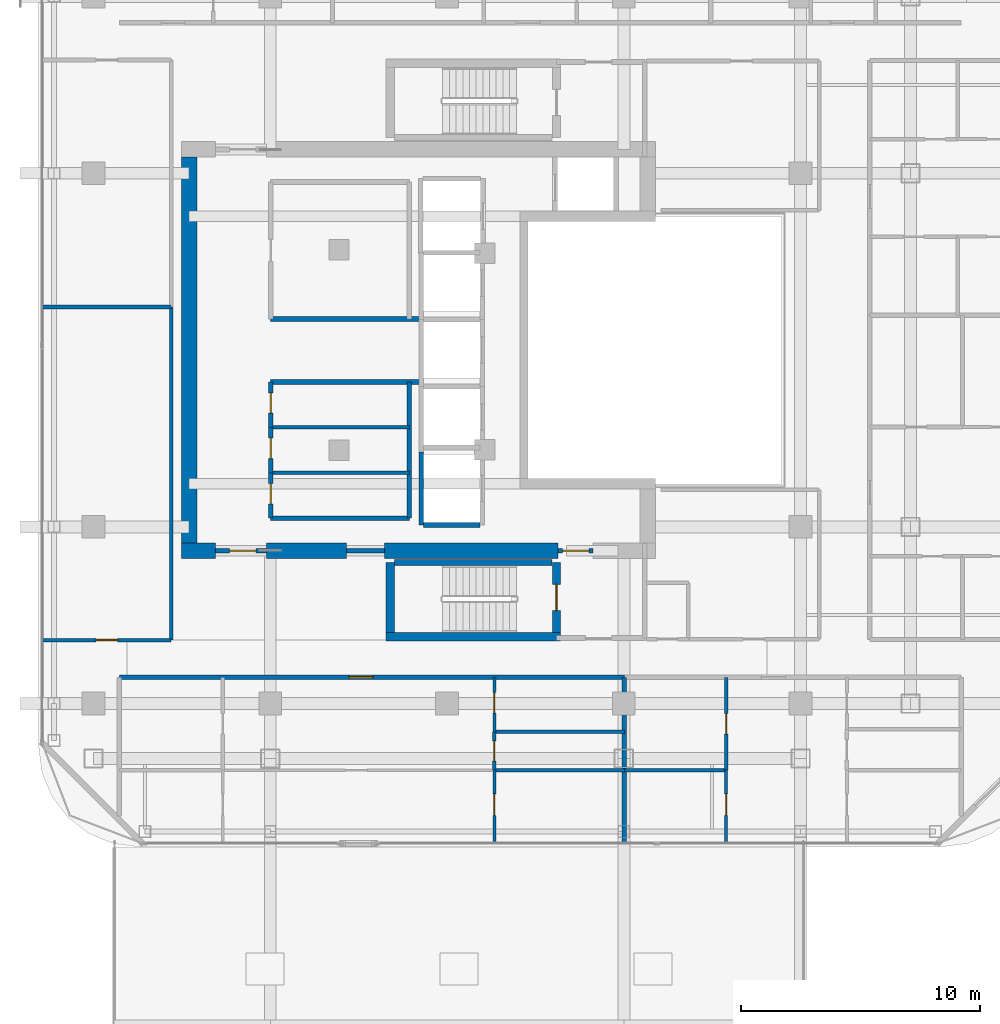
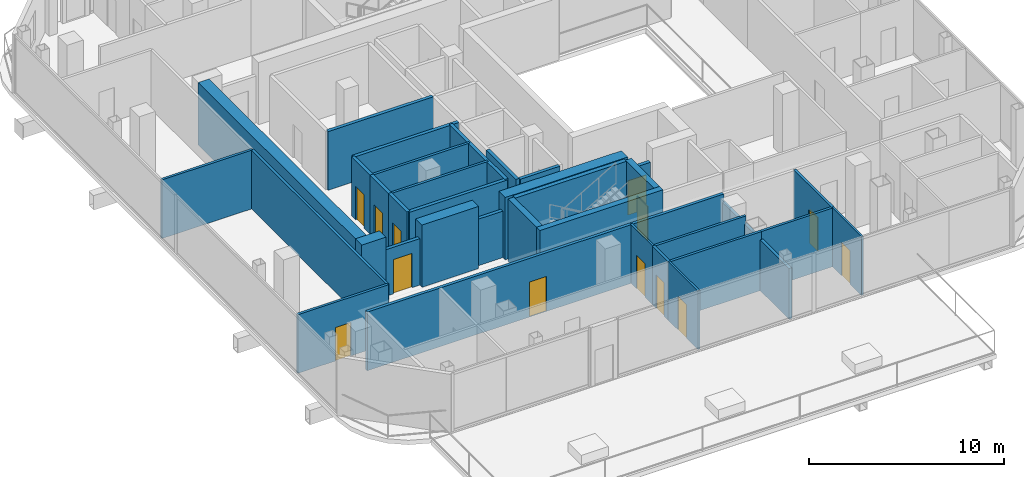
# One storey, part 18 of 25: 35 walls, 13 doors, 13 openings.
"""IFC4 building model written with IfcOpenShell, lengths in metres."""

from ifc_helpers import new_model, si_unit, direction, frame, frame_2d, origin, place, context, subcontext, project, spatial, rectangle, extrude, material, layer, layer_set, type_object, element, fill, save


model = new_model("IFC4")

# Units and contexts
model_context = context("Model", 3, precision=1e-05, world=origin(), true_north=direction((0.0, 1.0)))
body_context = subcontext(model_context, "Body", "Model", "MODEL_VIEW")
ifc_project = project(units=[si_unit("LENGTHUNIT", "METRE"), si_unit("AREAUNIT", "SQUARE_METRE"), si_unit("VOLUMEUNIT", "CUBIC_METRE"), si_unit("PLANEANGLEUNIT", "RADIAN"), si_unit("MASSUNIT", "GRAM", prefix="KILO")], contexts=[model_context])

# Site, building, storey
site_placement = place(None, origin())
site = spatial("IfcSite", under=ifc_project, at=site_placement, CompositionType="ELEMENT")
building_placement = place(site_placement, origin())
building = spatial("IfcBuilding", under=site, at=building_placement, Name="Khorvyn Point Tower", CompositionType="ELEMENT")
storey_placement = place(building_placement, frame((0.0, 0.0, 254.699951171875)))
storey = spatial("IfcBuildingStorey", under=building, at=storey_placement, Name="L62", CompositionType="ELEMENT", Elevation=254.699951171875)

# Wall, opening, door
ifc_material_1 = material(Name="Double acoustic gypsum on twin steel stud", Category="steel")
ifc_layer_1 = layer(ifc_material_1, 0.179931640625)
ifc_layer_set_1 = layer_set([ifc_layer_1], Name="Acoustic Double-Stud Apartment Demising Wall 180")
wall_type_1 = type_object("IfcWallType", Name="Acoustic Double-Stud Apartment Demising Wall 180", PredefinedType="PARTITIONING", material=ifc_layer_set_1)
wall_1_placement = place(storey_placement, frame((-13.719970703125, -13.699951171875, 0.0), z_axis=(0.0, 0.0, 1.0), x_axis=(1.0, 0.0, 0.0)))
wall_1 = element("IfcWall", 1, at=wall_1_placement, inside=storey, type_object=wall_type_1, Name="Wall", PredefinedType="PARTITIONING", context=body_context, shape_type="SweptSolid", body=[
    extrude(rectangle(XDim=21.14404296875, YDim=0.179931640625, at=frame_2d((10.572021484375, 0.0))), origin(), (0.0, 0.0, 1.0), 3.679931640625),
])
opening_1_placement = place(wall_1_placement, frame((9.62548828125, 0.0, 0.0)))
opening_1 = element("IfcOpeningElement", 2, at=opening_1_placement, cuts=wall_1, Name="Opening ID-AP60", PredefinedType="OPENING", context=body_context, shape_type="SweptSolid", body=[
    extrude(rectangle(XDim=1.0, YDim=2.199951171875, at=frame_2d((0.5, 1.10009765625))), frame((0.0, 0.099853515625, 0.0), z_axis=(0.0, -1.0, 0.0), x_axis=(1.0, 0.0, 0.0)), (0.0, 0.0, 1.0), 0.199951171875),
])
ifc_material_2 = material(Name="Engineered hardwood fire-rated leaf", Category="wood")
door_type_1 = type_object("IfcDoorType", Name="Acoustic Solid-Core Timber Apartment Entrance Door 1000x2200", OperationType="NOTDEFINED", PredefinedType="DOOR", material=ifc_material_2)
door_1_placement = place(opening_1_placement, origin())
door_1 = element("IfcDoor", 3, at=door_1_placement, inside=storey, type_object=door_type_1, Name="Door", OperationType="SINGLE_SWING_RIGHT", OverallHeight=2.199951171875, OverallWidth=1.0, PredefinedType="DOOR", context=body_context, shape_type="SweptSolid", body=[
    extrude(rectangle(XDim=1.0, YDim=2.199951171875, at=frame_2d((0.5, 1.10009765625))), frame((0.0, 0.02490234375, 0.0), z_axis=(0.0, -1.0, 0.0), x_axis=(1.0, 0.0, 0.0)), (0.0, 0.0, 1.0), 0.050048828125),
])
fill(opening_1, door_1)

# Walls
wall_2_placement = place(storey_placement, frame((7.424072265625, -20.6298828125, 0.0), z_axis=(0.0, 0.0, 1.0), x_axis=(0.0, 1.0, 0.0)))
element("IfcWall", 4, at=wall_2_placement, inside=storey, type_object=wall_type_1, Name="Wall", PredefinedType="PARTITIONING", context=body_context, shape_type="SweptSolid", body=[
    extrude(rectangle(XDim=6.929931640625, YDim=0.179931640625, at=frame_2d((3.46484375, 0.0))), origin(), (0.0, 0.0, 1.0), 3.18212890625),
])
ifc_material_3 = material(Name="Concrete C40/50", Category="concrete")
ifc_layer_2 = layer(ifc_material_3, 0.64990234375)
ifc_layer_set_2 = layer_set([ifc_layer_2], Name="Concrete C40/50 Core Shear Wall 650")
wall_type_2 = type_object("IfcWallType", Name="Concrete C40/50 Core Shear Wall 650", PredefinedType="SHEAR", material=ifc_layer_set_2)
wall_3_placement = place(storey_placement, frame((-11.125, -8.39990234375, 0.0), z_axis=(0.0, 0.0, 1.0), x_axis=(1.0, 0.0, 0.0)))
element("IfcWall", 5, at=wall_3_placement, inside=storey, type_object=wall_type_2, Name="Wall", PredefinedType="SHEAR", context=body_context, shape_type="SweptSolid", body=[
    extrude(rectangle(XDim=1.425048828125, YDim=0.64990234375, at=frame_2d((0.71240234375, 0.0))), origin(), (0.0, 0.0, 1.0), 3.900146484375),
])
wall_4_placement = place(storey_placement, frame((-7.550048828125, -8.39990234375, 0.0), z_axis=(0.0, 0.0, 1.0), x_axis=(1.0, 0.0, 0.0)))
element("IfcWall", 6, at=wall_4_placement, inside=storey, type_object=wall_type_2, Name="Wall", PredefinedType="SHEAR", context=body_context, shape_type="SweptSolid", body=[
    extrude(rectangle(XDim=3.35009765625, YDim=0.64990234375, at=frame_2d((1.675048828125, 0.0))), origin(), (0.0, 0.0, 1.0), 3.900146484375),
])
wall_5_placement = place(storey_placement, frame((-2.6201171875, -8.39990234375, 0.0), z_axis=(0.0, 0.0, 1.0), x_axis=(1.0, 0.0, 0.0)))
element("IfcWall", 7, at=wall_5_placement, inside=storey, type_object=wall_type_2, Name="Wall", PredefinedType="SHEAR", context=body_context, shape_type="SweptSolid", body=[
    extrude(rectangle(XDim=7.27001953125, YDim=0.64990234375, at=frame_2d((3.635009765625, 0.0))), origin(), (0.0, 0.0, 1.0), 3.900146484375),
])
wall_6_placement = place(storey_placement, frame((-10.800048828125, -8.074951171875, 0.0), z_axis=(0.0, 0.0, 1.0), x_axis=(0.0, 1.0, 0.0)))
element("IfcWall", 8, at=wall_6_placement, inside=storey, type_object=wall_type_2, Name="Wall", PredefinedType="SHEAR", context=body_context, shape_type="SweptSolid", body=[
    extrude(rectangle(XDim=16.14990234375, YDim=0.64990234375, at=frame_2d((8.074951171875, 0.0))), origin(), (0.0, 0.0, 1.0), 3.900146484375),
])

# Wall, opening, door
ifc_layer_3 = layer(ifc_material_3, 0.199951171875)
ifc_layer_set_3 = layer_set([ifc_layer_3], Name="Concrete C40/50 Fire-Lobby Compartment Wall 200")
wall_type_3 = type_object("IfcWallType", Name="Concrete C40/50 Fire-Lobby Compartment Wall 200", PredefinedType="SOLIDWALL", material=ifc_layer_set_3)
wall_7_placement = place(storey_placement, frame((4.64990234375, -8.39990234375, 0.0), z_axis=(0.0, 0.0, 1.0), x_axis=(1.0, 0.0, 0.0)))
wall_7 = element("IfcWall", 9, at=wall_7_placement, inside=storey, type_object=wall_type_3, Name="Wall", PredefinedType="SOLIDWALL", context=body_context, shape_type="SweptSolid", body=[
    extrude(rectangle(XDim=1.47021484375, YDim=0.199951171875, at=frame_2d((0.735107421875, 0.0))), origin(), (0.0, 0.0, 1.0), 2.920166015625),
])
opening_2_placement = place(wall_7_placement, frame((0.18505859375, 0.0, 0.0)))
opening_2 = element("IfcOpeningElement", 10, at=opening_2_placement, cuts=wall_7, Name="Opening ID-FL90", PredefinedType="OPENING", context=body_context, shape_type="SweptSolid", body=[
    extrude(rectangle(XDim=1.10009765625, YDim=2.14990234375, at=frame_2d((0.550048828125, 1.074951171875))), frame((0.0, 0.10986328125, 0.0), z_axis=(0.0, -1.0, 0.0), x_axis=(1.0, 0.0, 0.0)), (0.0, 0.0, 1.0), 0.219970703125),
])
ifc_material_4 = material(Name="Galvanised powder-coated steel", Category="steel")
door_type_2 = type_object("IfcDoorType", Name="Fire-Rated Steel Lobby and Stair Door 1100x2150", OperationType="NOTDEFINED", PredefinedType="DOOR", material=ifc_material_4)
door_2_placement = place(opening_2_placement, origin())
door_2 = element("IfcDoor", 11, at=door_2_placement, inside=storey, type_object=door_type_2, Name="Door", OperationType="SINGLE_SWING_RIGHT", OverallHeight=2.14990234375, OverallWidth=1.10009765625, PredefinedType="DOOR", context=body_context, shape_type="SweptSolid", body=[
    extrude(rectangle(XDim=1.10009765625, YDim=2.14990234375, at=frame_2d((0.550048828125, 1.074951171875))), frame((0.0, 0.02490234375, 0.0), z_axis=(0.0, -1.0, 0.0), x_axis=(1.0, 0.0, 0.0)), (0.0, 0.0, 1.0), 0.050048828125),
])
fill(opening_2, door_2)

wall_8_placement = place(storey_placement, frame((-9.699951171875, -8.39990234375, 0.0), z_axis=(0.0, 0.0, 1.0), x_axis=(1.0, 0.0, 0.0)))
wall_8 = element("IfcWall", 12, at=wall_8_placement, inside=storey, type_object=wall_type_3, Name="Wall", PredefinedType="SOLIDWALL", context=body_context, shape_type="SweptSolid", body=[
    extrude(rectangle(XDim=2.14990234375, YDim=0.199951171875, at=frame_2d((1.074951171875, 0.0))), origin(), (0.0, 0.0, 1.0), 2.920166015625),
])
opening_3_placement = place(wall_8_placement, frame((0.597900390625, 0.0, 0.0)))
opening_3 = element("IfcOpeningElement", 13, at=opening_3_placement, cuts=wall_8, Name="Opening ID-FL90", PredefinedType="OPENING", context=body_context, shape_type="SweptSolid", body=[
    extrude(rectangle(XDim=1.10009765625, YDim=2.14990234375, at=frame_2d((0.550048828125, 1.074951171875))), frame((0.0, 0.10986328125, 0.0), z_axis=(0.0, -1.0, 0.0), x_axis=(1.0, 0.0, 0.0)), (0.0, 0.0, 1.0), 0.219970703125),
])
door_3_placement = place(opening_3_placement, origin())
door_3 = element("IfcDoor", 14, at=door_3_placement, inside=storey, type_object=door_type_2, Name="Door", OperationType="SINGLE_SWING_RIGHT", OverallHeight=2.14990234375, OverallWidth=1.10009765625, PredefinedType="DOOR", context=body_context, shape_type="SweptSolid", body=[
    extrude(rectangle(XDim=1.10009765625, YDim=2.14990234375, at=frame_2d((0.550048828125, 1.074951171875))), frame((0.0, 0.02490234375, 0.0), z_axis=(0.0, -1.0, 0.0), x_axis=(1.0, 0.0, 0.0)), (0.0, 0.0, 1.0), 0.050048828125),
])
fill(opening_3, door_3)

wall_9_placement = place(storey_placement, frame((-7.3798828125, -7.0400390625, 0.0), z_axis=(0.0, 0.0, 1.0), x_axis=(0.0, 1.0, 0.0)))
wall_9 = element("IfcWall", 15, at=wall_9_placement, inside=storey, type_object=wall_type_3, Name="Wall", PredefinedType="SOLIDWALL", context=body_context, shape_type="SweptSolid", body=[
    extrude(rectangle(XDim=1.900146484375, YDim=0.199951171875, at=frame_2d((0.9501953125, 0.0))), origin(), (0.0, 0.0, 1.0), 3.679931640625),
])
opening_4_placement = place(wall_9_placement, frame((0.597900390625, 0.0, 0.0)))
opening_4 = element("IfcOpeningElement", 16, at=opening_4_placement, cuts=wall_9, Name="Opening ID-WC85", PredefinedType="OPENING", context=body_context, shape_type="SweptSolid", body=[
    extrude(rectangle(XDim=0.85009765625, YDim=2.10009765625, at=frame_2d((0.425048828125, 1.050048828125))), frame((0.0, 0.10986328125, 0.0), z_axis=(0.0, -1.0, 0.0), x_axis=(1.0, 0.0, 0.0)), (0.0, 0.0, 1.0), 0.219970703125),
])
ifc_material_5 = material(Name="High-pressure laminate on moisture-resistant core", Category="wood")
door_type_3 = type_object("IfcDoorType", Name="Moisture-Resistant Accessible Washroom Door 850x2100", OperationType="NOTDEFINED", PredefinedType="DOOR", material=ifc_material_5)
door_4_placement = place(opening_4_placement, origin())
door_4 = element("IfcDoor", 17, at=door_4_placement, inside=storey, type_object=door_type_3, Name="Door", OperationType="SINGLE_SWING_RIGHT", OverallHeight=2.10009765625, OverallWidth=0.85009765625, PredefinedType="DOOR", context=body_context, shape_type="SweptSolid", body=[
    extrude(rectangle(XDim=0.85009765625, YDim=2.10009765625, at=frame_2d((0.425048828125, 1.050048828125))), frame((0.0, 0.02490234375, 0.0), z_axis=(0.0, -1.0, 0.0), x_axis=(1.0, 0.0, 0.0)), (0.0, 0.0, 1.0), 0.050048828125),
])
fill(opening_4, door_4)

wall_10_placement = place(storey_placement, frame((-7.3798828125, -5.139892578125, 0.0), z_axis=(0.0, 0.0, 1.0), x_axis=(0.0, 1.0, 0.0)))
wall_10 = element("IfcWall", 18, at=wall_10_placement, inside=storey, type_object=wall_type_3, Name="Wall", PredefinedType="SOLIDWALL", context=body_context, shape_type="SweptSolid", body=[
    extrude(rectangle(XDim=1.89990234375, YDim=0.199951171875, at=frame_2d((0.949951171875, 0.0))), origin(), (0.0, 0.0, 1.0), 3.679931640625),
])
opening_5_placement = place(wall_10_placement, frame((0.597900390625, 0.0, 0.0)))
opening_5 = element("IfcOpeningElement", 19, at=opening_5_placement, cuts=wall_10, Name="Opening ID-WC85", PredefinedType="OPENING", context=body_context, shape_type="SweptSolid", body=[
    extrude(rectangle(XDim=0.85009765625, YDim=2.10009765625, at=frame_2d((0.425048828125, 1.050048828125))), frame((0.0, 0.10986328125, 0.0), z_axis=(0.0, -1.0, 0.0), x_axis=(1.0, 0.0, 0.0)), (0.0, 0.0, 1.0), 0.219970703125),
])
door_5_placement = place(opening_5_placement, origin())
door_5 = element("IfcDoor", 20, at=door_5_placement, inside=storey, type_object=door_type_3, Name="Door", OperationType="SINGLE_SWING_LEFT", OverallHeight=2.10009765625, OverallWidth=0.85009765625, PredefinedType="DOOR", context=body_context, shape_type="SweptSolid", body=[
    extrude(rectangle(XDim=0.85009765625, YDim=2.10009765625, at=frame_2d((0.425048828125, 1.050048828125))), frame((0.0, 0.02490234375, 0.0), z_axis=(0.0, -1.0, 0.0), x_axis=(1.0, 0.0, 0.0)), (0.0, 0.0, 1.0), 0.050048828125),
])
fill(opening_5, door_5)

wall_11_placement = place(storey_placement, frame((-7.3798828125, -3.239990234375, 0.0), z_axis=(0.0, 0.0, 1.0), x_axis=(0.0, 1.0, 0.0)))
wall_11 = element("IfcWall", 21, at=wall_11_placement, inside=storey, type_object=wall_type_3, Name="Wall", PredefinedType="SOLIDWALL", context=body_context, shape_type="SweptSolid", body=[
    extrude(rectangle(XDim=1.89990234375, YDim=0.199951171875, at=frame_2d((0.949951171875, 0.0))), origin(), (0.0, 0.0, 1.0), 3.679931640625),
])
opening_6_placement = place(wall_11_placement, frame((0.597900390625, 0.0, 0.0)))
opening_6 = element("IfcOpeningElement", 22, at=opening_6_placement, cuts=wall_11, Name="Opening ID-WC85", PredefinedType="OPENING", context=body_context, shape_type="SweptSolid", body=[
    extrude(rectangle(XDim=0.85009765625, YDim=2.10009765625, at=frame_2d((0.425048828125, 1.050048828125))), frame((0.0, 0.10986328125, 0.0), z_axis=(0.0, -1.0, 0.0), x_axis=(1.0, 0.0, 0.0)), (0.0, 0.0, 1.0), 0.219970703125),
])
door_6_placement = place(opening_6_placement, origin())
door_6 = element("IfcDoor", 23, at=door_6_placement, inside=storey, type_object=door_type_3, Name="Door", OperationType="SINGLE_SWING_RIGHT", OverallHeight=2.10009765625, OverallWidth=0.85009765625, PredefinedType="DOOR", context=body_context, shape_type="SweptSolid", body=[
    extrude(rectangle(XDim=0.85009765625, YDim=2.10009765625, at=frame_2d((0.425048828125, 1.050048828125))), frame((0.0, 0.02490234375, 0.0), z_axis=(0.0, -1.0, 0.0), x_axis=(1.0, 0.0, 0.0)), (0.0, 0.0, 1.0), 0.050048828125),
])
fill(opening_6, door_6)

# Walls
wall_12_placement = place(storey_placement, frame((-4.199951171875, -8.39990234375, 0.0), z_axis=(0.0, 0.0, 1.0), x_axis=(1.0, 0.0, 0.0)))
element("IfcWall", 24, at=wall_12_placement, inside=storey, type_object=wall_type_3, Name="Wall", PredefinedType="SOLIDWALL", context=body_context, shape_type="SweptSolid", body=[
    extrude(rectangle(XDim=1.579833984375, YDim=0.199951171875, at=frame_2d((0.7900390625, 0.0))), origin(), (0.0, 0.0, 1.0), 2.920166015625),
])
for number, where, z_axis, x_axis, name in (
    (25, (-7.3798828125, -1.340087890625, 0.0), (0.0, 0.0, 1.0), (1.0, 0.0, 0.0), "Wall"),
    (26, (-7.3798828125, 1.300048828125, 0.0), (0.0, 0.0, 1.0), (1.0, 0.0, 0.0), "Wall"),
):
    element("IfcWall", number, at=place(storey_placement, frame(where, z_axis=z_axis, x_axis=x_axis)), inside=storey, type_object=wall_type_3, Name=name, PredefinedType="SOLIDWALL", context=body_context, shape_type="SweptSolid", body=[
        extrude(rectangle(XDim=6.239990234375, YDim=0.199951171875, at=frame_2d((3.1201171875, 0.0))), origin(), (0.0, 0.0, 1.0), 3.679931640625),
    ])
wall_13_placement = place(storey_placement, frame((-1.580078125, -7.0400390625, 0.0), z_axis=(0.0, 0.0, 1.0), x_axis=(0.0, 1.0, 0.0)))
element("IfcWall", 27, at=wall_13_placement, inside=storey, type_object=wall_type_3, Name="Wall", PredefinedType="SOLIDWALL", context=body_context, shape_type="SweptSolid", body=[
    extrude(rectangle(XDim=5.699951171875, YDim=0.199951171875, at=frame_2d((2.85009765625, 0.0))), origin(), (0.0, 0.0, 1.0), 3.679931640625),
])
wall_14_placement = place(storey_placement, frame((-7.3798828125, -7.0400390625, 0.0), z_axis=(0.0, 0.0, 1.0), x_axis=(1.0, 0.0, 0.0)))
element("IfcWall", 28, at=wall_14_placement, inside=storey, type_object=wall_type_3, Name="Wall", PredefinedType="SOLIDWALL", context=body_context, shape_type="SweptSolid", body=[
    extrude(rectangle(XDim=5.7998046875, YDim=0.199951171875, at=frame_2d((2.89990234375, 0.0))), origin(), (0.0, 0.0, 1.0), 3.679931640625),
])
ifc_layer_4 = layer(ifc_material_3, 0.25)
ifc_layer_set_4 = layer_set([ifc_layer_4], Name="Concrete C40/50 Stair Inner Cheek Structural Wall 250")
wall_type_4 = type_object("IfcWallType", Name="Concrete C40/50 Stair Inner Cheek Structural Wall 250", PredefinedType="SHEAR", material=ifc_layer_set_4)
wall_15_placement = place(storey_placement, frame((-2.199951171875, -8.89990234375, 0.0), z_axis=(0.0, 0.0, 1.0), x_axis=(1.0, 0.0, 0.0)))
element("IfcWall", 29, at=wall_15_placement, inside=storey, type_object=wall_type_4, Name="Wall", PredefinedType="SHEAR", context=body_context, shape_type="SweptSolid", body=[
    extrude(rectangle(XDim=6.599853515625, YDim=0.25, at=frame_2d((3.2998046875, 0.0))), origin(), (0.0, 0.0, 1.0), 3.900146484375),
])
ifc_layer_5 = layer(ifc_material_3, 0.35009765625)
ifc_layer_set_5 = layer_set([ifc_layer_5], Name="Concrete C40/50 Stair Shaft Structural Wall 350")
wall_type_5 = type_object("IfcWallType", Name="Concrete C40/50 Stair Shaft Structural Wall 350", PredefinedType="SHEAR", material=ifc_layer_set_5)
wall_16_placement = place(storey_placement, frame((-2.554931640625, -12.0, 0.0), z_axis=(0.0, 0.0, 1.0), x_axis=(1.0, 0.0, 0.0)))
element("IfcWall", 30, at=wall_16_placement, inside=storey, type_object=wall_type_5, Name="L62 ST-01 South Shaft Wall", PredefinedType="SHEAR", context=body_context, shape_type="SweptSolid", body=[
    extrude(rectangle(XDim=7.309814453125, YDim=0.35009765625, at=frame_2d((3.65478515625, 0.0))), origin(), (0.0, 0.0, 1.0), 3.900146484375),
])
wall_17_placement = place(storey_placement, frame((-2.3798828125, -11.824951171875, 0.0), z_axis=(0.0, 0.0, 1.0), x_axis=(0.0, 1.0, 0.0)))
element("IfcWall", 31, at=wall_17_placement, inside=storey, type_object=wall_type_5, Name="L62 ST-01 West Shaft Wall", PredefinedType="SHEAR", context=body_context, shape_type="SweptSolid", body=[
    extrude(rectangle(XDim=2.925048828125, YDim=0.35009765625, at=frame_2d((1.46240234375, 0.0))), origin(), (0.0, 0.0, 1.0), 3.900146484375),
])

# Wall, opening, door
wall_18_placement = place(storey_placement, frame((4.580078125, -8.89990234375, 0.0), z_axis=(0.0, 0.0, 1.0), x_axis=(0.0, -1.0, 0.0)))
wall_18 = element("IfcWall", 32, at=wall_18_placement, inside=storey, type_object=wall_type_5, Name="L62 ST-01 East Landing Door Wall", PredefinedType="SHEAR", context=body_context, shape_type="SweptSolid", body=[
    extrude(rectangle(XDim=2.925048828125, YDim=0.35009765625, at=frame_2d((1.46240234375, 0.0))), origin(), (0.0, 0.0, 1.0), 3.900146484375),
])
opening_7_placement = place(wall_18_placement, frame((0.91259765625, 0.0, 0.0)))
opening_7 = element("IfcOpeningElement", 33, at=opening_7_placement, cuts=wall_18, Name="Opening ID-FL90", PredefinedType="OPENING", context=body_context, shape_type="SweptSolid", body=[
    extrude(rectangle(XDim=1.10009765625, YDim=2.14990234375, at=frame_2d((0.550048828125, 1.074951171875))), frame((0.0, 0.18505859375, 0.0), z_axis=(0.0, -1.0, 0.0), x_axis=(1.0, 0.0, 0.0)), (0.0, 0.0, 1.0), 0.3701171875),
])
door_7_placement = place(opening_7_placement, origin())
door_7 = element("IfcDoor", 34, at=door_7_placement, inside=storey, type_object=door_type_2, Name="L62 ST-01 Smokeproof Landing Door", OperationType="SINGLE_SWING_RIGHT", OverallHeight=2.14990234375, OverallWidth=1.10009765625, PredefinedType="DOOR", context=body_context, shape_type="SweptSolid", body=[
    extrude(rectangle(XDim=1.10009765625, YDim=2.14990234375, at=frame_2d((0.550048828125, 1.074951171875))), frame((0.0, 0.02490234375, 0.0), z_axis=(0.0, -1.0, 0.0), x_axis=(1.0, 0.0, 0.0)), (0.0, 0.0, 1.0), 0.050048828125),
])
fill(opening_7, door_7)

# Walls
ifc_layer_6 = layer(ifc_material_3, 0.199951171875)
ifc_layer_set_6 = layer_set([ifc_layer_6], Name="Concrete C40/50 Structural Hoistway and Stair Shaft Wall 200")
wall_type_6 = type_object("IfcWallType", Name="Concrete C40/50 Structural Hoistway and Stair Shaft Wall 200", PredefinedType="SHEAR", material=ifc_layer_set_6)
wall_19_placement = place(storey_placement, frame((-1.074951171875, -7.324951171875, 0.0), z_axis=(0.0, 0.0, 1.0), x_axis=(0.0, 1.0, 0.0)))
element("IfcWall", 35, at=wall_19_placement, inside=storey, type_object=wall_type_6, Name="Wall", PredefinedType="SHEAR", context=body_context, shape_type="SweptSolid", body=[
    extrude(rectangle(XDim=3.050048828125, YDim=0.199951171875, at=frame_2d((1.52490234375, 0.0))), origin(), (0.0, 0.0, 1.0), 3.679931640625),
])
wall_20_placement = place(storey_placement, frame((-0.97509765625, -7.324951171875, 0.0), z_axis=(0.0, 0.0, 1.0), x_axis=(1.0, 0.0, 0.0)))
element("IfcWall", 36, at=wall_20_placement, inside=storey, type_object=wall_type_6, Name="Wall", PredefinedType="SHEAR", context=body_context, shape_type="SweptSolid", body=[
    extrude(rectangle(XDim=2.35009765625, YDim=0.199951171875, at=frame_2d((1.175048828125, 0.0))), origin(), (0.0, 0.0, 1.0), 3.679931640625),
])

# Wall, opening, door
ifc_material_6 = material(Name="Gypsum plasterboard on steel stud", Category="steel")
ifc_layer_7 = layer(ifc_material_6, 0.1201171875)
ifc_layer_set_7 = layer_set([ifc_layer_7], Name="Gypsum Acoustic Stud Room Partition Wall 120")
wall_type_7 = type_object("IfcWallType", Name="Gypsum Acoustic Stud Room Partition Wall 120", PredefinedType="PARTITIONING", material=ifc_layer_set_7)
wall_21_placement = place(storey_placement, frame((1.98291015625, -15.98291015625, 0.0), z_axis=(0.0, 0.0, 1.0), x_axis=(0.0, 1.0, 0.0)))
wall_21 = element("IfcWall", 37, at=wall_21_placement, inside=storey, type_object=wall_type_7, Name="Wall", PredefinedType="PARTITIONING", context=body_context, shape_type="SweptSolid", body=[
    extrude(rectangle(XDim=2.282958984375, YDim=0.1201171875, at=frame_2d((1.1416015625, 0.0))), origin(), (0.0, 0.0, 1.0), 3.679931640625),
])
opening_8_placement = place(wall_21_placement, frame((0.7958984375, 0.0, 0.0)))
opening_8 = element("IfcOpeningElement", 38, at=opening_8_placement, cuts=wall_21, Name="Opening ID-WC85", PredefinedType="OPENING", context=body_context, shape_type="SweptSolid", body=[
    extrude(rectangle(XDim=0.85009765625, YDim=2.10009765625, at=frame_2d((0.425048828125, 1.050048828125))), frame((0.0, 0.070068359375, 0.0), z_axis=(0.0, -1.0, 0.0), x_axis=(1.0, 0.0, 0.0)), (0.0, 0.0, 1.0), 0.14013671875),
])
door_8_placement = place(opening_8_placement, origin())
door_8 = element("IfcDoor", 39, at=door_8_placement, inside=storey, type_object=door_type_3, Name="Door", OperationType="SINGLE_SWING_LEFT", OverallHeight=2.10009765625, OverallWidth=0.85009765625, PredefinedType="DOOR", context=body_context, shape_type="SweptSolid", body=[
    extrude(rectangle(XDim=0.85009765625, YDim=2.10009765625, at=frame_2d((0.425048828125, 1.050048828125))), frame((0.0, 0.02490234375, 0.0), z_axis=(0.0, -1.0, 0.0), x_axis=(1.0, 0.0, 0.0)), (0.0, 0.0, 1.0), 0.050048828125),
])
fill(opening_8, door_8)

wall_22_placement = place(storey_placement, frame((1.98291015625, -20.6298828125, 0.0), z_axis=(0.0, 0.0, 1.0), x_axis=(0.0, 1.0, 0.0)))
wall_22 = element("IfcWall", 40, at=wall_22_placement, inside=storey, type_object=wall_type_7, Name="Wall", PredefinedType="PARTITIONING", context=body_context, shape_type="SweptSolid", body=[
    extrude(rectangle(XDim=3.039794921875, YDim=0.1201171875, at=frame_2d((1.52001953125, 0.0))), origin(), (0.0, 0.0, 1.0), 3.679931640625),
])
opening_9_placement = place(wall_22_placement, frame((1.152587890625, 0.0, 0.0)))
opening_9 = element("IfcOpeningElement", 41, at=opening_9_placement, cuts=wall_22, Name="Opening ID-RM90", PredefinedType="OPENING", context=body_context, shape_type="SweptSolid", body=[
    extrude(rectangle(XDim=0.89990234375, YDim=2.10009765625, at=frame_2d((0.449951171875, 1.050048828125))), frame((0.0, 0.070068359375, 0.0), z_axis=(0.0, -1.0, 0.0), x_axis=(1.0, 0.0, 0.0)), (0.0, 0.0, 1.0), 0.14013671875),
])
ifc_material_7 = material(Name="Engineered oak veneer timber", Category="wood")
door_type_4 = type_object("IfcDoorType", Name="Flush Engineered Timber Room Door 900x2100", OperationType="NOTDEFINED", PredefinedType="DOOR", material=ifc_material_7)
door_9_placement = place(opening_9_placement, origin())
door_9 = element("IfcDoor", 42, at=door_9_placement, inside=storey, type_object=door_type_4, Name="Door", OperationType="SINGLE_SWING_RIGHT", OverallHeight=2.10009765625, OverallWidth=0.89990234375, PredefinedType="DOOR", context=body_context, shape_type="SweptSolid", body=[
    extrude(rectangle(XDim=0.89990234375, YDim=2.10009765625, at=frame_2d((0.449951171875, 1.050048828125))), frame((0.0, 0.02490234375, 0.0), z_axis=(0.0, -1.0, 0.0), x_axis=(1.0, 0.0, 0.0)), (0.0, 0.0, 1.0), 0.050048828125),
])
fill(opening_9, door_9)

wall_23_placement = place(storey_placement, frame((11.68408203125, -20.6298828125, 0.0), z_axis=(0.0, 0.0, 1.0), x_axis=(0.0, 1.0, 0.0)))
wall_23 = element("IfcWall", 43, at=wall_23_placement, inside=storey, type_object=wall_type_7, Name="Wall", PredefinedType="PARTITIONING", context=body_context, shape_type="SweptSolid", body=[
    extrude(rectangle(XDim=3.039794921875, YDim=0.1201171875, at=frame_2d((1.52001953125, 0.0))), origin(), (0.0, 0.0, 1.0), 3.679931640625),
])
opening_10_placement = place(wall_23_placement, frame((1.152587890625, 0.0, 0.0)))
opening_10 = element("IfcOpeningElement", 44, at=opening_10_placement, cuts=wall_23, Name="Opening ID-RM90", PredefinedType="OPENING", context=body_context, shape_type="SweptSolid", body=[
    extrude(rectangle(XDim=0.89990234375, YDim=2.10009765625, at=frame_2d((0.449951171875, 1.050048828125))), frame((0.0, 0.070068359375, 0.0), z_axis=(0.0, -1.0, 0.0), x_axis=(1.0, 0.0, 0.0)), (0.0, 0.0, 1.0), 0.14013671875),
])
door_10_placement = place(opening_10_placement, origin())
door_10 = element("IfcDoor", 45, at=door_10_placement, inside=storey, type_object=door_type_4, Name="Door", OperationType="SINGLE_SWING_LEFT", OverallHeight=2.10009765625, OverallWidth=0.89990234375, PredefinedType="DOOR", context=body_context, shape_type="SweptSolid", body=[
    extrude(rectangle(XDim=0.89990234375, YDim=2.10009765625, at=frame_2d((0.449951171875, 1.050048828125))), frame((0.0, 0.02490234375, 0.0), z_axis=(0.0, -1.0, 0.0), x_axis=(1.0, 0.0, 0.0)), (0.0, 0.0, 1.0), 0.050048828125),
])
fill(opening_10, door_10)

ifc_material_8 = material(Name="Moisture-resistant gypsum and cement board", Category="gypsum")
ifc_layer_8 = layer(ifc_material_8, 0.14990234375)
ifc_layer_set_8 = layer_set([ifc_layer_8], Name="Moisture-Resistant Wet-Room Partition Wall 150")
wall_type_8 = type_object("IfcWallType", Name="Moisture-Resistant Wet-Room Partition Wall 150", PredefinedType="PARTITIONING", material=ifc_layer_set_8)
wall_24_placement = place(storey_placement, frame((1.98291015625, -17.590087890625, 0.0), z_axis=(0.0, 0.0, 1.0), x_axis=(0.0, 1.0, 0.0)))
wall_24 = element("IfcWall", 46, at=wall_24_placement, inside=storey, type_object=wall_type_8, Name="Wall", PredefinedType="PARTITIONING", context=body_context, shape_type="SweptSolid", body=[
    extrude(rectangle(XDim=1.607177734375, YDim=0.14990234375, at=frame_2d((0.8037109375, 0.0))), origin(), (0.0, 0.0, 1.0), 3.679931640625),
])
opening_11_placement = place(wall_24_placement, frame((0.37841796875, 0.0, 0.0)))
opening_11 = element("IfcOpeningElement", 47, at=opening_11_placement, cuts=wall_24, Name="Opening ID-WC85", PredefinedType="OPENING", context=body_context, shape_type="SweptSolid", body=[
    extrude(rectangle(XDim=0.85009765625, YDim=2.10009765625, at=frame_2d((0.425048828125, 1.050048828125))), frame((0.0, 0.0849609375, 0.0), z_axis=(0.0, -1.0, 0.0), x_axis=(1.0, 0.0, 0.0)), (0.0, 0.0, 1.0), 0.169921875),
])
door_11_placement = place(opening_11_placement, origin())
door_11 = element("IfcDoor", 48, at=door_11_placement, inside=storey, type_object=door_type_3, Name="Door", OperationType="SINGLE_SWING_RIGHT", OverallHeight=2.10009765625, OverallWidth=0.85009765625, PredefinedType="DOOR", context=body_context, shape_type="SweptSolid", body=[
    extrude(rectangle(XDim=0.85009765625, YDim=2.10009765625, at=frame_2d((0.425048828125, 1.050048828125))), frame((0.0, 0.02490234375, 0.0), z_axis=(0.0, -1.0, 0.0), x_axis=(1.0, 0.0, 0.0)), (0.0, 0.0, 1.0), 0.050048828125),
])
fill(opening_11, door_11)

wall_25_placement = place(storey_placement, frame((11.68408203125, -17.590087890625, 0.0), z_axis=(0.0, 0.0, 1.0), x_axis=(0.0, 1.0, 0.0)))
wall_25 = element("IfcWall", 49, at=wall_25_placement, inside=storey, type_object=wall_type_8, Name="Wall", PredefinedType="PARTITIONING", context=body_context, shape_type="SweptSolid", body=[
    extrude(rectangle(XDim=3.89013671875, YDim=0.14990234375, at=frame_2d((1.945068359375, 0.0))), origin(), (0.0, 0.0, 1.0), 3.679931640625),
])
opening_12_placement = place(wall_25_placement, frame((1.52001953125, 0.0, 0.0)))
opening_12 = element("IfcOpeningElement", 50, at=opening_12_placement, cuts=wall_25, Name="Opening ID-WC85", PredefinedType="OPENING", context=body_context, shape_type="SweptSolid", body=[
    extrude(rectangle(XDim=0.85009765625, YDim=2.10009765625, at=frame_2d((0.425048828125, 1.050048828125))), frame((0.0, 0.0849609375, 0.0), z_axis=(0.0, -1.0, 0.0), x_axis=(1.0, 0.0, 0.0)), (0.0, 0.0, 1.0), 0.169921875),
])
door_12_placement = place(opening_12_placement, origin())
door_12 = element("IfcDoor", 51, at=door_12_placement, inside=storey, type_object=door_type_3, Name="Door", OperationType="SINGLE_SWING_RIGHT", OverallHeight=2.10009765625, OverallWidth=0.85009765625, PredefinedType="DOOR", context=body_context, shape_type="SweptSolid", body=[
    extrude(rectangle(XDim=0.85009765625, YDim=2.10009765625, at=frame_2d((0.425048828125, 1.050048828125))), frame((0.0, 0.02490234375, 0.0), z_axis=(0.0, -1.0, 0.0), x_axis=(1.0, 0.0, 0.0)), (0.0, 0.0, 1.0), 0.050048828125),
])
fill(opening_12, door_12)

wall_26_placement = place(storey_placement, frame((-16.929931640625, -12.139892578125, 0.0), z_axis=(0.0, 0.0, 1.0), x_axis=(1.0, 0.0, 0.0)))
wall_26 = element("IfcWall", 52, at=wall_26_placement, inside=storey, type_object=wall_type_8, Name="Wall", PredefinedType="PARTITIONING", context=body_context, shape_type="SweptSolid", body=[
    extrude(rectangle(XDim=5.3798828125, YDim=0.14990234375, at=frame_2d((2.68994140625, 0.0))), origin(), (0.0, 0.0, 1.0), 3.679931640625),
])
opening_13_placement = place(wall_26_placement, frame((2.239990234375, 0.0, 0.0)))
opening_13 = element("IfcOpeningElement", 53, at=opening_13_placement, cuts=wall_26, Name="Opening ID-RM90", PredefinedType="OPENING", context=body_context, shape_type="SweptSolid", body=[
    extrude(rectangle(XDim=0.89990234375, YDim=2.10009765625, at=frame_2d((0.449951171875, 1.050048828125))), frame((0.0, 0.0849609375, 0.0), z_axis=(0.0, -1.0, 0.0), x_axis=(1.0, 0.0, 0.0)), (0.0, 0.0, 1.0), 0.169921875),
])
door_13_placement = place(opening_13_placement, origin())
door_13 = element("IfcDoor", 54, at=door_13_placement, inside=storey, type_object=door_type_4, Name="Door", OperationType="SINGLE_SWING_LEFT", OverallHeight=2.10009765625, OverallWidth=0.89990234375, PredefinedType="DOOR", context=body_context, shape_type="SweptSolid", body=[
    extrude(rectangle(XDim=0.89990234375, YDim=2.10009765625, at=frame_2d((0.449951171875, 1.050048828125))), frame((0.0, 0.02490234375, 0.0), z_axis=(0.0, -1.0, 0.0), x_axis=(1.0, 0.0, 0.0)), (0.0, 0.0, 1.0), 0.050048828125),
])
fill(opening_13, door_13)

# Walls
for number, where, z_axis, x_axis, name in (
    (55, (-7.3798828125, -5.139892578125, 0.0), (0.0, 0.0, 1.0), (1.0, 0.0, 0.0), "Wall"),
    (56, (-7.3798828125, -3.239990234375, 0.0), (0.0, 0.0, 1.0), (1.0, 0.0, 0.0), "Wall"),
):
    element("IfcWall", number, at=place(storey_placement, frame(where, z_axis=z_axis, x_axis=x_axis)), inside=storey, type_object=wall_type_8, Name=name, PredefinedType="PARTITIONING", context=body_context, shape_type="SweptSolid", body=[
        extrude(rectangle(XDim=5.7998046875, YDim=0.14990234375, at=frame_2d((2.89990234375, 0.0))), origin(), (0.0, 0.0, 1.0), 3.679931640625),
    ])
for number, where, z_axis, x_axis, name in (
    (57, (1.98291015625, -15.98291015625, 0.0), (0.0, 0.0, 1.0), (1.0, 0.0, 0.0), "Wall"),
    (58, (1.98291015625, -17.590087890625, 0.0), (0.0, 0.0, 1.0), (1.0, 0.0, 0.0), "Wall"),
):
    element("IfcWall", number, at=place(storey_placement, frame(where, z_axis=z_axis, x_axis=x_axis)), inside=storey, type_object=wall_type_8, Name=name, PredefinedType="PARTITIONING", context=body_context, shape_type="SweptSolid", body=[
        extrude(rectangle(XDim=5.441162109375, YDim=0.14990234375, at=frame_2d((2.720703125, 0.0))), origin(), (0.0, 0.0, 1.0), 3.679931640625),
    ])
wall_27_placement = place(storey_placement, frame((7.424072265625, -17.590087890625, 0.0), z_axis=(0.0, 0.0, 1.0), x_axis=(1.0, 0.0, 0.0)))
element("IfcWall", 59, at=wall_27_placement, inside=storey, type_object=wall_type_8, Name="Wall", PredefinedType="PARTITIONING", context=body_context, shape_type="SweptSolid", body=[
    extrude(rectangle(XDim=4.260009765625, YDim=0.14990234375, at=frame_2d((2.1298828125, 0.0))), origin(), (0.0, 0.0, 1.0), 3.679931640625),
])
wall_28_placement = place(storey_placement, frame((-16.929931640625, 1.800048828125, 0.0), z_axis=(0.0, 0.0, 1.0), x_axis=(1.0, 0.0, 0.0)))
element("IfcWall", 60, at=wall_28_placement, inside=storey, type_object=wall_type_8, Name="Wall", PredefinedType="PARTITIONING", context=body_context, shape_type="SweptSolid", body=[
    extrude(rectangle(XDim=5.3798828125, YDim=0.14990234375, at=frame_2d((2.68994140625, 0.0))), origin(), (0.0, 0.0, 1.0), 3.679931640625),
])
wall_29_placement = place(storey_placement, frame((-11.550048828125, -12.139892578125, 0.0), z_axis=(0.0, 0.0, 1.0), x_axis=(0.0, 1.0, 0.0)))
element("IfcWall", 61, at=wall_29_placement, inside=storey, type_object=wall_type_8, Name="Wall", PredefinedType="PARTITIONING", context=body_context, shape_type="SweptSolid", body=[
    extrude(rectangle(XDim=13.93994140625, YDim=0.14990234375, at=frame_2d((6.969970703125, 0.0))), origin(), (0.0, 0.0, 1.0), 3.679931640625),
])

save(model, "model.ifc")
